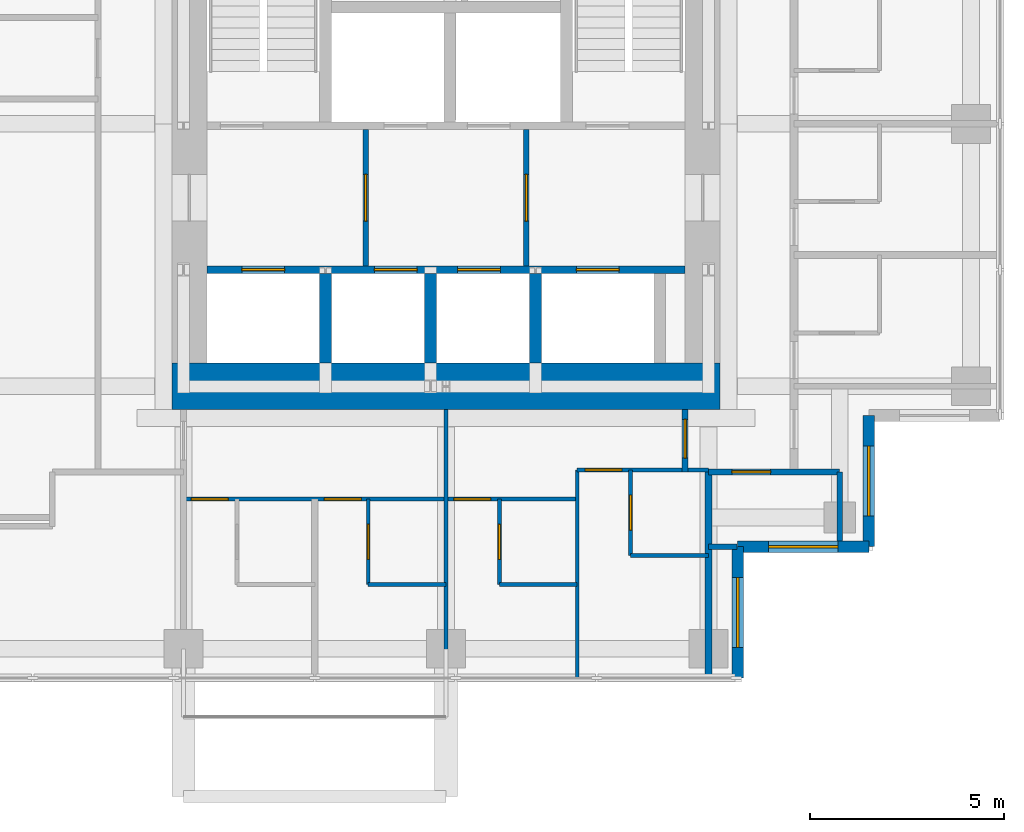
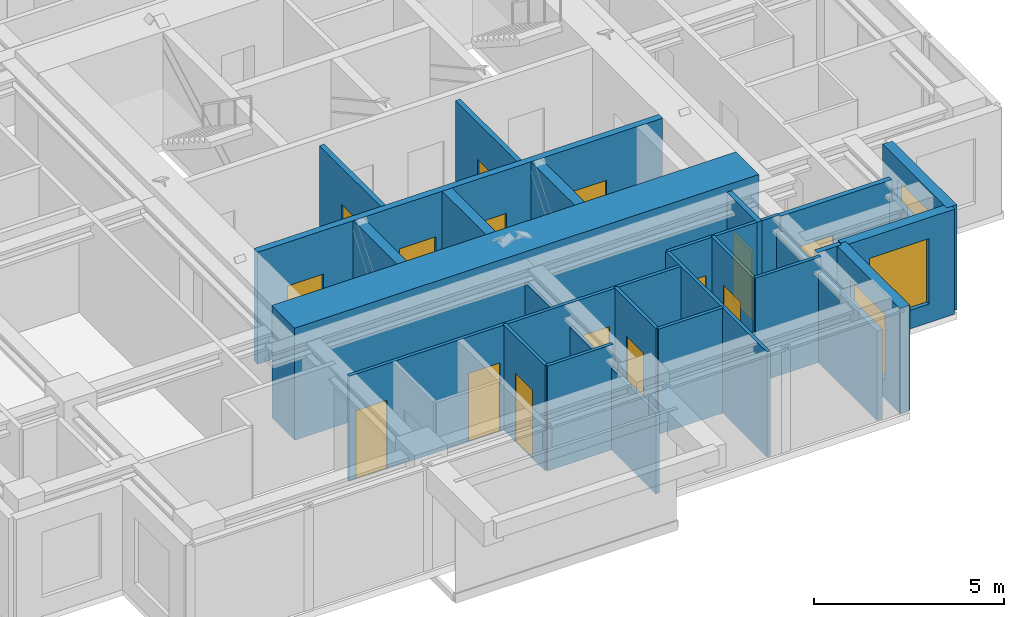
# One storey, part 4 of 8: 25 walls, 15 doors, 3 windows, 18 openings.
"""IFC4 building model written with IfcOpenShell, lengths in metres."""

import ifcopenshell
import ifcopenshell.guid

model = None  # the IFC model being written
_history = None  # IfcOwnerHistory: only IFC2X3 demands one
_inside = {}  # id of a spatial element -> (the spatial element, [elements in it])
_under = {}  # id of a project, library or spatial element -> (it, [spatial elements below it])
_declared = {}  # id of a project -> (the project, [libraries it declares])
_typed = {}  # id of a type object -> (the type object, [elements of that type])
_made_of = {}  # id of a material, layer set ... -> (it, [elements and type objects made of it])


def new_model(schema):
    """Start an empty IFC model of exactly this schema.

    Asked for "IFC4X3", IfcOpenShell would pick the latest addendum, in which some entities
    have other attributes; the version numbers below select the first issue.
    IFC2X3 requires an IfcOwnerHistory on every rooted entity: one is made here for all.
    """
    global model, _history
    if schema == "IFC4X3":
        model = ifcopenshell.file(schema_version=(4, 3, 0, 0))
    else:
        model = ifcopenshell.file(schema=schema)
    _inside.clear()
    _under.clear()
    _declared.clear()
    _typed.clear()
    _made_of.clear()
    _history = None
    if model.schema == "IFC2X3":
        org = make("IfcOrganization", Name="unknown")
        user = make(
            "IfcPersonAndOrganization",
            ThePerson=make("IfcPerson", FamilyName="unknown"),
            TheOrganization=org,
        )
        app = make(
            "IfcApplication",
            ApplicationDeveloper=org,
            Version="unknown",
            ApplicationFullName="unknown",
            ApplicationIdentifier="unknown",
        )
        _history = make(
            "IfcOwnerHistory",
            OwningUser=user,
            OwningApplication=app,
            ChangeAction="ADDED",
            CreationDate=0,
        )
    return model


def make(cls, **values):
    """One entity of the class cls with the attributes given. An attribute that is None is left unset."""
    return model.create_entity(
        cls, **{name: value for name, value in values.items() if value is not None}
    )


def rooted(cls, **values):
    """An entity with a GlobalId (a new one), such as an element, a storey or a relation."""
    return make(cls, GlobalId=ifcopenshell.guid.new(), OwnerHistory=_history, **values)


def si_unit(unit_type, name, prefix=None):
    """IfcSIUnit, for example si_unit("LENGTHUNIT", "METRE", prefix="MILLI")."""
    return make("IfcSIUnit", UnitType=unit_type, Prefix=prefix, Name=name)


def assignment(units):
    """IfcUnitAssignment: the units of a project."""
    return None if units is None else make("IfcUnitAssignment", Units=units)


def point(xyz):
    """IfcCartesianPoint."""
    return None if xyz is None else make("IfcCartesianPoint", Coordinates=xyz)


def direction(xyz):
    """IfcDirection."""
    return None if xyz is None else make("IfcDirection", DirectionRatios=xyz)


def frame(location, z_axis=None, x_axis=None):
    """IfcAxis2Placement3D, a coordinate frame: its origin and axes. An axis left out is left unset."""
    return make(
        "IfcAxis2Placement3D",
        Location=point(location),
        Axis=direction(z_axis),
        RefDirection=direction(x_axis),
    )


def frame_2d(location, x_axis=None):
    """IfcAxis2Placement2D, a coordinate frame in the plane: its origin and x axis."""
    return make(
        "IfcAxis2Placement2D", Location=point(location), RefDirection=direction(x_axis)
    )


def origin():
    """The frame at (0, 0, 0) with its axes left unset."""
    return frame((0.0, 0.0, 0.0))


def place(relative_to, where):
    """IfcLocalPlacement: puts the frame where relative to a parent placement (None: the world)."""
    return make(
        "IfcLocalPlacement", PlacementRelTo=relative_to, RelativePlacement=where
    )


def context(
    kind, dimensions, precision=None, world=None, true_north=None, identifier=None
):
    """IfcGeometricRepresentationContext, for example the 3D "Model" context."""
    return make(
        "IfcGeometricRepresentationContext",
        ContextIdentifier=identifier,
        ContextType=kind,
        CoordinateSpaceDimension=dimensions,
        Precision=precision,
        WorldCoordinateSystem=world,
        TrueNorth=true_north,
    )


def subcontext(parent, identifier, kind, view, scale=None):
    """IfcGeometricRepresentationSubContext, for example "Body" below "Model"."""
    return make(
        "IfcGeometricRepresentationSubContext",
        ContextIdentifier=identifier,
        ContextType=kind,
        ParentContext=parent,
        TargetScale=scale,
        TargetView=view,
    )


def project(units=None, contexts=None):
    """IfcProject with its units and contexts."""
    return rooted(
        "IfcProject",
        Name="project",
        RepresentationContexts=contexts,
        UnitsInContext=assignment(units),
    )


def spatial(cls, under=None, at=None, **own):
    """A site, building, storey or space (cls), placed at a placement, below another one or the project."""
    s = rooted(cls, ObjectPlacement=at, **own)
    if under is not None:
        _under.setdefault(under.id(), (under, []))[1].append(s)
    return s


def profile(cls, at=None, kind="AREA", **sizes):
    """A parametric profile (cls). Its sizes go by their IFC names, for example OverallWidth=200.0."""
    return make(cls, ProfileType=kind, Position=at, **sizes)


def rectangle(**sizes):
    """IfcRectangleProfileDef."""
    return profile("IfcRectangleProfileDef", **sizes)


def extrude(swept, where, along, depth):
    """IfcExtrudedAreaSolid: the profile swept, set in the frame where, extruded along a direction by depth."""
    return make(
        "IfcExtrudedAreaSolid",
        SweptArea=swept,
        Position=where,
        ExtrudedDirection=direction(along),
        Depth=depth,
    )


def shape(context_of_items, identifier, shape_type, items):
    """IfcShapeRepresentation: the items that make up one representation, for example the "Body"."""
    return make(
        "IfcShapeRepresentation",
        ContextOfItems=context_of_items,
        RepresentationIdentifier=identifier,
        RepresentationType=shape_type,
        Items=items,
    )


def material(Name=None, Category=None):
    """IfcMaterial."""
    return make("IfcMaterial", Name=Name, Category=Category)


def layer(
    of_material, thickness, ventilated=None, Name=None, Category=None, Priority=None
):
    """IfcMaterialLayer: one layer of a wall or slab, of a material (None: an air gap)."""
    return make(
        "IfcMaterialLayer",
        Material=of_material,
        LayerThickness=thickness,
        IsVentilated=ventilated,
        Name=Name,
        Category=Category,
        Priority=Priority,
    )


def layer_set(layers, Name=None):
    """IfcMaterialLayerSet."""
    return make("IfcMaterialLayerSet", MaterialLayers=layers, LayerSetName=Name)


def made_of(thing, what):
    """Note that an element or type object is made of a material, layer set ...; save() writes the relation."""
    if what is not None:
        _made_of.setdefault(what.id(), (what, []))[1].append(thing)
    return thing


def type_object(cls, material=None, **own):
    """A type object (cls), such as IfcWallType, which elements share."""
    return made_of(rooted(cls, **own), material)


def element(
    cls,
    number,
    at=None,
    inside=None,
    cuts=None,
    type_object=None,
    material=None,
    context=None,
    identifier="Body",
    shape_type=None,
    held_by="IfcProductDefinitionShape",
    body=None,
    shapes=None,
    **own,
):
    """One element of the class cls, such as IfcWall. Its Tag is "e" and its number.

    at: its placement. inside: the storey or other place that contains it. cuts: it is an
    opening in that element (IfcRelVoidsElement). A single representation is given by context,
    identifier, shape_type and body (its items); several are given by shapes. held_by: the class
    of the entity that holds the representations. save() writes the other relations.
    """
    e = rooted(cls, Tag="e%d" % number, ObjectPlacement=at, **own)
    if body is not None:
        shapes = [shape(context, identifier, shape_type, body)]
    if shapes is not None:
        e.Representation = make(held_by, Representations=shapes)
    if inside is not None:
        _inside.setdefault(inside.id(), (inside, []))[1].append(e)
    if cuts is not None:
        rooted(
            "IfcRelVoidsElement", RelatingBuildingElement=cuts, RelatedOpeningElement=e
        )
    if type_object is not None:
        _typed.setdefault(type_object.id(), (type_object, []))[1].append(e)
    return made_of(e, material)


def fill(opening, filler):
    """IfcRelFillsElement: the door or window that sits in an opening."""
    return rooted(
        "IfcRelFillsElement",
        RelatingOpeningElement=opening,
        RelatedBuildingElement=filler,
    )


def aggregate(whole, parts):
    """IfcRelAggregates: a whole, such as a stair, and the parts it consists of."""
    return rooted("IfcRelAggregates", RelatingObject=whole, RelatedObjects=parts)


def save(model, path):
    """Write the relations noted so far, then the file.

    IfcRelAggregates (storeys below a building ...), IfcRelContainedInSpatialStructure (elements
    in a storey), IfcRelDefinesByType, IfcRelAssociatesMaterial and IfcRelDeclares: one each for
    every whole, place, type object, material and project.
    """
    for whole, parts in _under.values():
        aggregate(whole, parts)
    for where, things in _inside.values():
        rooted(
            "IfcRelContainedInSpatialStructure",
            RelatedElements=things,
            RelatingStructure=where,
        )
    for kind, things in _typed.values():
        rooted("IfcRelDefinesByType", RelatedObjects=things, RelatingType=kind)
    for what, things in _made_of.values():
        rooted("IfcRelAssociatesMaterial", RelatedObjects=things, RelatingMaterial=what)
    for by, libraries in _declared.values():
        rooted("IfcRelDeclares", RelatingContext=by, RelatedDefinitions=libraries)
    model.write(path)


model = new_model("IFC4")

# Units and contexts
model_context = context("Model", 3, precision=1e-05, world=origin(), true_north=direction((0.0, 1.0)))
body_context = subcontext(model_context, "Body", "Model", "MODEL_VIEW")
ifc_project = project(units=[si_unit("LENGTHUNIT", "METRE"), si_unit("AREAUNIT", "SQUARE_METRE"), si_unit("VOLUMEUNIT", "CUBIC_METRE"), si_unit("PLANEANGLEUNIT", "RADIAN"), si_unit("MASSUNIT", "GRAM", prefix="KILO")], contexts=[model_context])

# Site, building, storey
site_placement = place(None, origin())
site = spatial("IfcSite", under=ifc_project, at=site_placement, CompositionType="ELEMENT")
building_placement = place(site_placement, origin())
building = spatial("IfcBuilding", under=site, at=building_placement, Name="Nyansa Garden Tower", CompositionType="ELEMENT")
storey_placement = place(building_placement, frame((0.0, 0.0, 243.89990234375)))
storey = spatial("IfcBuildingStorey", under=building, at=storey_placement, Name="L66", CompositionType="ELEMENT", Elevation=243.89990234375)

# Wall
ifc_material_1 = material(Name="Dense blockwork, plastered both sides, 55 dB", Category="masonry")
ifc_layer_1 = layer(ifc_material_1, 0.175048828125)
ifc_layer_set_1 = layer_set([ifc_layer_1], Name="Acoustic party wall PW175")
wall_type_1 = type_object("IfcWallType", Name="Acoustic party wall PW175", PredefinedType="PARTITIONING", material=ifc_layer_set_1)
wall_1_placement = place(storey_placement, frame((27.0, 6.01611328125, 0.0), z_axis=(0.0, 0.0, 1.0), x_axis=(0.0, 1.0, 0.0)))
element("IfcWall", 1, at=wall_1_placement, inside=storey, type_object=wall_type_1, Name="Party wall", PredefinedType="PARTITIONING", context=body_context, shape_type="SweptSolid", body=[
    extrude(rectangle(XDim=5.333984375, YDim=0.175048828125, at=frame_2d((2.6669921875, 0.0))), origin(), (0.0, 0.0, 1.0), 2.877197265625),
])

# Wall, openings, doors
ifc_material_2 = material(Name="Concrete C70/85", Category="concrete")
ifc_layer_2 = layer(ifc_material_2, 0.199951171875)
ifc_layer_set_2 = layer_set([ifc_layer_2], Name="Core inner wall CI200")
wall_type_2 = type_object("IfcWallType", Name="Core inner wall CI200", PredefinedType="SHEAR", material=ifc_layer_set_2)
wall_2_placement = place(storey_placement, frame((14.10009765625, 16.5, 0.0), z_axis=(0.0, 0.0, 1.0), x_axis=(1.0, 0.0, 0.0)))
wall_2 = element("IfcWall", 2, at=wall_2_placement, inside=storey, type_object=wall_type_2, Name="Core inner wall L66", PredefinedType="SHEAR", context=body_context, shape_type="SweptSolid", body=[
    extrude(rectangle(XDim=12.2998046875, YDim=0.199951171875, at=frame_2d((6.14990234375, 0.0))), origin(), (0.0, 0.0, 1.0), 3.60009765625),
])
opening_1_placement = place(wall_2_placement, frame((0.89990234375, 0.0, 0.0)))
opening_1 = element("IfcOpeningElement", 3, at=opening_1_placement, cuts=wall_2, Name="Opening LD-F", PredefinedType="OPENING", context=body_context, shape_type="SweptSolid", body=[
    extrude(rectangle(XDim=1.10009765625, YDim=2.199951171875, at=frame_2d((0.550048828125, 1.10009765625))), frame((0.0, 0.10986328125, 0.0), z_axis=(0.0, -1.0, 0.0), x_axis=(1.0, 0.0, 0.0)), (0.0, 0.0, 1.0), 0.219970703125),
])
opening_2_placement = place(wall_2_placement, frame((4.31005859375, 0.0, 0.0)))
opening_2 = element("IfcOpeningElement", 4, at=opening_2_placement, cuts=wall_2, Name="Opening LD-B", PredefinedType="OPENING", context=body_context, shape_type="SweptSolid", body=[
    extrude(rectangle(XDim=1.10009765625, YDim=2.199951171875, at=frame_2d((0.550048828125, 1.10009765625))), frame((0.0, 0.10986328125, 0.0), z_axis=(0.0, -1.0, 0.0), x_axis=(1.0, 0.0, 0.0)), (0.0, 0.0, 1.0), 0.219970703125),
])
opening_3_placement = place(wall_2_placement, frame((6.449951171875, 0.0, 0.0)))
opening_3 = element("IfcOpeningElement", 5, at=opening_3_placement, cuts=wall_2, Name="Opening LD-B", PredefinedType="OPENING", context=body_context, shape_type="SweptSolid", body=[
    extrude(rectangle(XDim=1.10009765625, YDim=2.199951171875, at=frame_2d((0.550048828125, 1.10009765625))), frame((0.0, 0.10986328125, 0.0), z_axis=(0.0, -1.0, 0.0), x_axis=(1.0, 0.0, 0.0)), (0.0, 0.0, 1.0), 0.219970703125),
])
opening_4_placement = place(wall_2_placement, frame((9.5, 0.0, 0.0)))
opening_4 = element("IfcOpeningElement", 6, at=opening_4_placement, cuts=wall_2, Name="Opening LD-F", PredefinedType="OPENING", context=body_context, shape_type="SweptSolid", body=[
    extrude(rectangle(XDim=1.10009765625, YDim=2.199951171875, at=frame_2d((0.550048828125, 1.10009765625))), frame((0.0, 0.10986328125, 0.0), z_axis=(0.0, -1.0, 0.0), x_axis=(1.0, 0.0, 0.0)), (0.0, 0.0, 1.0), 0.219970703125),
])
ifc_material_3 = material(Name="Stainless steel centre-opening landing door of the high-rise lift, E 120", Category="steel")
door_type_1 = type_object("IfcDoorType", Name="Lift landing door LD-B 1100x2200", OperationType="DOUBLE_DOOR_SLIDING", PredefinedType="DOOR", material=ifc_material_3)
door_1_placement = place(opening_2_placement, origin())
door_1 = element("IfcDoor", 7, at=door_1_placement, inside=storey, type_object=door_type_1, Name="Landing door B1", OperationType="DOUBLE_DOOR_SLIDING", OverallHeight=2.199951171875, OverallWidth=1.10009765625, PredefinedType="DOOR", context=body_context, shape_type="SweptSolid", body=[
    extrude(rectangle(XDim=1.10009765625, YDim=2.199951171875, at=frame_2d((0.550048828125, 1.10009765625))), frame((0.0, 0.02490234375, 0.0), z_axis=(0.0, -1.0, 0.0), x_axis=(1.0, 0.0, 0.0)), (0.0, 0.0, 1.0), 0.050048828125),
])
fill(opening_2, door_1)
door_2_placement = place(opening_3_placement, origin())
door_2 = element("IfcDoor", 8, at=door_2_placement, inside=storey, type_object=door_type_1, Name="Landing door B2", OperationType="DOUBLE_DOOR_SLIDING", OverallHeight=2.199951171875, OverallWidth=1.10009765625, PredefinedType="DOOR", context=body_context, shape_type="SweptSolid", body=[
    extrude(rectangle(XDim=1.10009765625, YDim=2.199951171875, at=frame_2d((0.550048828125, 1.10009765625))), frame((0.0, 0.02490234375, 0.0), z_axis=(0.0, -1.0, 0.0), x_axis=(1.0, 0.0, 0.0)), (0.0, 0.0, 1.0), 0.050048828125),
])
fill(opening_3, door_2)
ifc_material_4 = material(Name="Stainless steel centre-opening landing door of the firefighting lift, EN 81-72, E 120", Category="steel")
door_type_2 = type_object("IfcDoorType", Name="Lift landing door LD-F 1100x2200", OperationType="DOUBLE_DOOR_SLIDING", PredefinedType="DOOR", material=ifc_material_4)
door_3_placement = place(opening_1_placement, origin())
door_3 = element("IfcDoor", 9, at=door_3_placement, inside=storey, type_object=door_type_2, Name="Landing door FF1", OperationType="DOUBLE_DOOR_SLIDING", OverallHeight=2.199951171875, OverallWidth=1.10009765625, PredefinedType="DOOR", context=body_context, shape_type="SweptSolid", body=[
    extrude(rectangle(XDim=1.10009765625, YDim=2.199951171875, at=frame_2d((0.550048828125, 1.10009765625))), frame((0.0, 0.02490234375, 0.0), z_axis=(0.0, -1.0, 0.0), x_axis=(1.0, 0.0, 0.0)), (0.0, 0.0, 1.0), 0.050048828125),
])
fill(opening_1, door_3)
door_4_placement = place(opening_4_placement, origin())
door_4 = element("IfcDoor", 10, at=door_4_placement, inside=storey, type_object=door_type_2, Name="Landing door FF2", OperationType="DOUBLE_DOOR_SLIDING", OverallHeight=2.199951171875, OverallWidth=1.10009765625, PredefinedType="DOOR", context=body_context, shape_type="SweptSolid", body=[
    extrude(rectangle(XDim=1.10009765625, YDim=2.199951171875, at=frame_2d((0.550048828125, 1.10009765625))), frame((0.0, 0.02490234375, 0.0), z_axis=(0.0, -1.0, 0.0), x_axis=(1.0, 0.0, 0.0)), (0.0, 0.0, 1.0), 0.050048828125),
])
fill(opening_4, door_4)

# Walls
ifc_material_5 = material(Name="Concrete C70/85", Category="concrete")
ifc_layer_3 = layer(ifc_material_5, 0.300048828125)
ifc_layer_set_3 = layer_set([ifc_layer_3], Name="Core inner wall CI300")
wall_type_3 = type_object("IfcWallType", Name="Core inner wall CI300", PredefinedType="SHEAR", material=ifc_layer_set_3)
for number, where, z_axis, x_axis, name in (
    (11, (17.14990234375, 14.10009765625, 0.0), (0.0, 0.0, 1.0), (0.0, 1.0, 0.0), "Core inner wall L66"),
    (12, (19.85009765625, 14.10009765625, 0.0), (0.0, 0.0, 1.0), (0.0, 1.0, 0.0), "Core inner wall L66"),
    (13, (22.550048828125, 14.10009765625, 0.0), (0.0, 0.0, 1.0), (0.0, 1.0, 0.0), "Core inner wall L66"),
):
    element("IfcWall", number, at=place(storey_placement, frame(where, z_axis=z_axis, x_axis=x_axis)), inside=storey, type_object=wall_type_3, Name=name, PredefinedType="SHEAR", context=body_context, shape_type="SweptSolid", body=[
        extrude(rectangle(XDim=2.2998046875, YDim=0.300048828125, at=frame_2d((1.14990234375, 0.0))), origin(), (0.0, 0.0, 1.0), 3.60009765625),
    ])
ifc_material_6 = material(Name="Concrete C80/95", Category="concrete")
ifc_layer_4 = layer(ifc_material_6, 1.199951171875)
ifc_layer_set_4 = layer_set([ifc_layer_4], Name="Core wall CW1200")
wall_type_4 = type_object("IfcWallType", Name="Core wall CW1200", PredefinedType="SHEAR", material=ifc_layer_set_4)
wall_3_placement = place(storey_placement, frame((13.199951171875, 13.5, 0.0), z_axis=(0.0, 0.0, 1.0), x_axis=(1.0, 0.0, 0.0)))
element("IfcWall", 14, at=wall_3_placement, inside=storey, type_object=wall_type_4, Name="Core wall S L66", PredefinedType="SHEAR", context=body_context, shape_type="SweptSolid", body=[
    extrude(rectangle(XDim=14.10009765625, YDim=1.199951171875, at=frame_2d((7.050048828125, 0.0))), origin(), (0.0, 0.0, 1.0), 3.60009765625),
])

# Wall, opening, door
ifc_material_7 = material(Name="Blockwork, plastered both sides", Category="masonry")
ifc_layer_5 = layer(ifc_material_7, 0.14990234375)
ifc_layer_set_5 = layer_set([ifc_layer_5], Name="Partition PW150")
wall_type_5 = type_object("IfcWallType", Name="Partition PW150", PredefinedType="PARTITIONING", material=ifc_layer_set_5)
wall_4_placement = place(storey_placement, frame((18.18505859375, 16.60009765625, 0.0), z_axis=(0.0, 0.0, 1.0), x_axis=(0.0, 1.0, 0.0)))
wall_4 = element("IfcWall", 15, at=wall_4_placement, inside=storey, type_object=wall_type_5, Name="Partition", PredefinedType="PARTITIONING", context=body_context, shape_type="SweptSolid", body=[
    extrude(rectangle(XDim=3.5, YDim=0.14990234375, at=frame_2d((1.75, 0.0))), origin(), (0.0, 0.0, 1.0), 3.375),
])
opening_5_placement = place(wall_4_placement, frame((1.14990234375, 0.0, 0.0)))
opening_5 = element("IfcOpeningElement", 16, at=opening_5_placement, cuts=wall_4, Name="Opening D06", PredefinedType="OPENING", context=body_context, shape_type="SweptSolid", body=[
    extrude(rectangle(XDim=1.199951171875, YDim=2.199951171875, at=frame_2d((0.60009765625, 1.10009765625))), frame((0.0, 0.0849609375, 0.0), z_axis=(0.0, -1.0, 0.0), x_axis=(1.0, 0.0, 0.0)), (0.0, 0.0, 1.0), 0.169921875),
])
ifc_material_8 = material(Name="Steel door, 120 minute fire resisting", Category="steel")
door_type_3 = type_object("IfcDoorType", Name="Lobby door D06 1200x2200", OperationType="DOUBLE_DOOR_SINGLE_SWING", PredefinedType="DOOR", material=ifc_material_8)
door_5_placement = place(opening_5_placement, origin())
door_5 = element("IfcDoor", 17, at=door_5_placement, inside=storey, type_object=door_type_3, Name="Passenger lift lobby door", OperationType="DOUBLE_DOOR_SINGLE_SWING", OverallHeight=2.199951171875, OverallWidth=1.199951171875, PredefinedType="DOOR", context=body_context, shape_type="SweptSolid", body=[
    extrude(rectangle(XDim=1.199951171875, YDim=2.199951171875, at=frame_2d((0.60009765625, 1.10009765625))), frame((0.0, 0.02490234375, 0.0), z_axis=(0.0, -1.0, 0.0), x_axis=(1.0, 0.0, 0.0)), (0.0, 0.0, 1.0), 0.050048828125),
])
fill(opening_5, door_5)

wall_5_placement = place(storey_placement, frame((22.31494140625, 16.60009765625, 0.0), z_axis=(0.0, 0.0, 1.0), x_axis=(0.0, 1.0, 0.0)))
wall_5 = element("IfcWall", 18, at=wall_5_placement, inside=storey, type_object=wall_type_5, Name="Partition", PredefinedType="PARTITIONING", context=body_context, shape_type="SweptSolid", body=[
    extrude(rectangle(XDim=3.5, YDim=0.14990234375, at=frame_2d((1.75, 0.0))), origin(), (0.0, 0.0, 1.0), 3.375),
])
opening_6_placement = place(wall_5_placement, frame((1.14990234375, 0.0, 0.0)))
opening_6 = element("IfcOpeningElement", 19, at=opening_6_placement, cuts=wall_5, Name="Opening D06", PredefinedType="OPENING", context=body_context, shape_type="SweptSolid", body=[
    extrude(rectangle(XDim=1.199951171875, YDim=2.199951171875, at=frame_2d((0.60009765625, 1.10009765625))), frame((0.0, 0.0849609375, 0.0), z_axis=(0.0, -1.0, 0.0), x_axis=(1.0, 0.0, 0.0)), (0.0, 0.0, 1.0), 0.169921875),
])
door_6_placement = place(opening_6_placement, origin())
door_6 = element("IfcDoor", 20, at=door_6_placement, inside=storey, type_object=door_type_3, Name="Passenger lift lobby door", OperationType="DOUBLE_DOOR_SINGLE_SWING", OverallHeight=2.199951171875, OverallWidth=1.199951171875, PredefinedType="DOOR", context=body_context, shape_type="SweptSolid", body=[
    extrude(rectangle(XDim=1.199951171875, YDim=2.199951171875, at=frame_2d((0.60009765625, 1.10009765625))), frame((0.0, 0.02490234375, 0.0), z_axis=(0.0, -1.0, 0.0), x_axis=(1.0, 0.0, 0.0)), (0.0, 0.0, 1.0), 0.050048828125),
])
fill(opening_6, door_6)

wall_6_placement = place(storey_placement, frame((26.39990234375, 11.300048828125, 0.0), z_axis=(0.0, 0.0, 1.0), x_axis=(0.0, 1.0, 0.0)))
wall_6 = element("IfcWall", 21, at=wall_6_placement, inside=storey, type_object=wall_type_5, Name="Partition", PredefinedType="PARTITIONING", context=body_context, shape_type="SweptSolid", body=[
    extrude(rectangle(XDim=1.599853515625, YDim=0.14990234375, at=frame_2d((0.7998046875, 0.0))), origin(), (0.0, 0.0, 1.0), 3.375),
])
opening_7_placement = place(wall_6_placement, frame((0.35009765625, 0.0, 0.0)))
opening_7 = element("IfcOpeningElement", 22, at=opening_7_placement, cuts=wall_6, Name="Opening D03", PredefinedType="OPENING", context=body_context, shape_type="SweptSolid", body=[
    extrude(rectangle(XDim=1.0, YDim=2.199951171875, at=frame_2d((0.5, 1.10009765625))), frame((0.0, 0.0849609375, 0.0), z_axis=(0.0, -1.0, 0.0), x_axis=(1.0, 0.0, 0.0)), (0.0, 0.0, 1.0), 0.169921875),
])
ifc_material_9 = material(Name="Timber flush door, 60 minute fire resisting", Category="wood")
door_type_4 = type_object("IfcDoorType", Name="Cluster entrance door D03 1000x2200", OperationType="SINGLE_SWING_LEFT", PredefinedType="DOOR", material=ifc_material_9)
door_7_placement = place(opening_7_placement, origin())
door_7 = element("IfcDoor", 23, at=door_7_placement, inside=storey, type_object=door_type_4, Name="Door L66-028", OperationType="SINGLE_SWING_LEFT", OverallHeight=2.199951171875, OverallWidth=1.0, PredefinedType="DOOR", context=body_context, shape_type="SweptSolid", body=[
    extrude(rectangle(XDim=1.0, YDim=2.199951171875, at=frame_2d((0.5, 1.10009765625))), frame((0.0, 0.02490234375, 0.0), z_axis=(0.0, -1.0, 0.0), x_axis=(1.0, 0.0, 0.0)), (0.0, 0.0, 1.0), 0.050048828125),
])
fill(opening_7, door_7)

wall_7_placement = place(storey_placement, frame((27.0, 11.300048828125, 0.0), z_axis=(0.0, 0.0, 1.0), x_axis=(1.0, 0.0, 0.0)))
wall_7 = element("IfcWall", 24, at=wall_7_placement, inside=storey, type_object=wall_type_5, Name="Partition", PredefinedType="PARTITIONING", context=body_context, shape_type="SweptSolid", body=[
    extrude(rectangle(XDim=3.375, YDim=0.14990234375, at=frame_2d((1.6875, 0.0))), origin(), (0.0, 0.0, 1.0), 3.375),
])
opening_8_placement = place(wall_7_placement, frame((0.60009765625, 0.0, 0.0)))
opening_8 = element("IfcOpeningElement", 25, at=opening_8_placement, cuts=wall_7, Name="Opening D03", PredefinedType="OPENING", context=body_context, shape_type="SweptSolid", body=[
    extrude(rectangle(XDim=1.0, YDim=2.199951171875, at=frame_2d((0.5, 1.10009765625))), frame((0.0, 0.0849609375, 0.0), z_axis=(0.0, -1.0, 0.0), x_axis=(1.0, 0.0, 0.0)), (0.0, 0.0, 1.0), 0.169921875),
])
door_8_placement = place(opening_8_placement, origin())
door_8 = element("IfcDoor", 26, at=door_8_placement, inside=storey, type_object=door_type_4, Name="Door L66-027", OperationType="SINGLE_SWING_LEFT", OverallHeight=2.199951171875, OverallWidth=1.0, PredefinedType="DOOR", context=body_context, shape_type="SweptSolid", body=[
    extrude(rectangle(XDim=1.0, YDim=2.199951171875, at=frame_2d((0.5, 1.10009765625))), frame((0.0, 0.02490234375, 0.0), z_axis=(0.0, -1.0, 0.0), x_axis=(1.0, 0.0, 0.0)), (0.0, 0.0, 1.0), 0.050048828125),
])
fill(opening_8, door_8)

# Walls
wall_8_placement = place(storey_placement, frame((27.0, 9.375, 0.0), z_axis=(0.0, 0.0, 1.0), x_axis=(1.0, 0.0, 0.0)))
element("IfcWall", 27, at=wall_8_placement, inside=storey, type_object=wall_type_5, Name="Partition", PredefinedType="PARTITIONING", context=body_context, shape_type="SweptSolid", body=[
    extrude(rectangle(XDim=0.73388671875, YDim=0.14990234375, at=frame_2d((0.366943359375, 0.0))), origin(), (0.0, 0.0, 1.0), 3.375),
])
wall_9_placement = place(storey_placement, frame((30.375, 9.52490234375, 0.0), z_axis=(0.0, 0.0, 1.0), x_axis=(0.0, 1.0, 0.0)))
element("IfcWall", 28, at=wall_9_placement, inside=storey, type_object=wall_type_5, Name="Partition", PredefinedType="PARTITIONING", context=body_context, shape_type="SweptSolid", body=[
    extrude(rectangle(XDim=1.775146484375, YDim=0.14990234375, at=frame_2d((0.8876953125, 0.0))), origin(), (0.0, 0.0, 1.0), 2.877197265625),
])

# Wall, opening, window
ifc_material_10 = material(Name="Turquoise glazed tile on concrete blockwork", Category="masonry")
ifc_layer_6 = layer(ifc_material_10, 0.300048828125)
ifc_layer_set_6 = layer_set([ifc_layer_6], Name="Tiled corner wall TW300")
wall_type_6 = type_object("IfcWallType", Name="Tiled corner wall TW300", PredefinedType="SOLIDWALL", material=ifc_layer_set_6)
wall_10_placement = place(storey_placement, frame((27.75, 6.0, 0.0), z_axis=(0.0, 0.0, 1.0), x_axis=(0.0, 1.0, 0.0)))
wall_10 = element("IfcWall", 29, at=wall_10_placement, inside=storey, type_object=wall_type_6, Name="Tiled corner wall L66", PredefinedType="SOLIDWALL", context=body_context, shape_type="SweptSolid", body=[
    extrude(rectangle(XDim=3.375, YDim=0.300048828125, at=frame_2d((1.6875, 0.0))), origin(), (0.0, 0.0, 1.0), 3.375),
])
opening_9_placement = place(wall_10_placement, frame((0.78759765625, 0.0, 0.60009765625)))
opening_9 = element("IfcOpeningElement", 30, at=opening_9_placement, cuts=wall_10, Name="Opening W2", PredefinedType="OPENING", context=body_context, shape_type="SweptSolid", body=[
    extrude(rectangle(XDim=1.800048828125, YDim=2.10009765625, at=frame_2d((0.89990234375, 1.050048828125))), frame((0.0, 0.159912109375, 0.0), z_axis=(0.0, -1.0, 0.0), x_axis=(1.0, 0.0, 0.0)), (0.0, 0.0, 1.0), 0.320068359375),
])
ifc_material_11 = material(Name="Black aluminium frame, dark tinted double glazing", Category="aluminium")
window_type = type_object("IfcWindowType", Name="Window W2 1800x2100", PartitioningType="SINGLE_PANEL", PredefinedType="WINDOW", material=ifc_material_11)
window_1_placement = place(opening_9_placement, origin())
window_1 = element("IfcWindow", 31, at=window_1_placement, inside=storey, type_object=window_type, Name="Corner window L66", OverallHeight=2.10009765625, OverallWidth=1.800048828125, PartitioningType="SINGLE_PANEL", PredefinedType="WINDOW", context=body_context, shape_type="SweptSolid", body=[
    extrude(rectangle(XDim=1.800048828125, YDim=2.10009765625, at=frame_2d((0.89990234375, 1.050048828125))), frame((0.0, 0.030029296875, 0.0), z_axis=(0.0, -1.0, 0.0), x_axis=(1.0, 0.0, 0.0)), (0.0, 0.0, 1.0), 0.06005859375),
])
fill(opening_9, window_1)

wall_11_placement = place(storey_placement, frame((27.75, 9.375, 0.0), z_axis=(0.0, 0.0, 1.0), x_axis=(1.0, 0.0, 0.0)))
wall_11 = element("IfcWall", 32, at=wall_11_placement, inside=storey, type_object=wall_type_6, Name="Tiled corner wall L66", PredefinedType="SOLIDWALL", context=body_context, shape_type="SweptSolid", body=[
    extrude(rectangle(XDim=3.375, YDim=0.300048828125, at=frame_2d((1.6875, 0.0))), origin(), (0.0, 0.0, 1.0), 3.375),
])
opening_10_placement = place(wall_11_placement, frame((0.78759765625, 0.0, 0.60009765625)))
opening_10 = element("IfcOpeningElement", 33, at=opening_10_placement, cuts=wall_11, Name="Opening W2", PredefinedType="OPENING", context=body_context, shape_type="SweptSolid", body=[
    extrude(rectangle(XDim=1.800048828125, YDim=2.10009765625, at=frame_2d((0.89990234375, 1.050048828125))), frame((0.0, 0.159912109375, 0.0), z_axis=(0.0, -1.0, 0.0), x_axis=(1.0, 0.0, 0.0)), (0.0, 0.0, 1.0), 0.320068359375),
])
window_2_placement = place(opening_10_placement, origin())
window_2 = element("IfcWindow", 34, at=window_2_placement, inside=storey, type_object=window_type, Name="Corner window L66", OverallHeight=2.10009765625, OverallWidth=1.800048828125, PartitioningType="SINGLE_PANEL", PredefinedType="WINDOW", context=body_context, shape_type="SweptSolid", body=[
    extrude(rectangle(XDim=1.800048828125, YDim=2.10009765625, at=frame_2d((0.89990234375, 1.050048828125))), frame((0.0, 0.030029296875, 0.0), z_axis=(0.0, -1.0, 0.0), x_axis=(1.0, 0.0, 0.0)), (0.0, 0.0, 1.0), 0.06005859375),
])
fill(opening_10, window_2)

wall_12_placement = place(storey_placement, frame((31.125, 9.375, 0.0), z_axis=(0.0, 0.0, 1.0), x_axis=(0.0, 1.0, 0.0)))
wall_12 = element("IfcWall", 35, at=wall_12_placement, inside=storey, type_object=wall_type_6, Name="Tiled corner wall L66", PredefinedType="SOLIDWALL", context=body_context, shape_type="SweptSolid", body=[
    extrude(rectangle(XDim=3.375, YDim=0.300048828125, at=frame_2d((1.6875, 0.0))), origin(), (0.0, 0.0, 1.0), 3.375),
])
opening_11_placement = place(wall_12_placement, frame((0.78759765625, 0.0, 0.60009765625)))
opening_11 = element("IfcOpeningElement", 36, at=opening_11_placement, cuts=wall_12, Name="Opening W2", PredefinedType="OPENING", context=body_context, shape_type="SweptSolid", body=[
    extrude(rectangle(XDim=1.800048828125, YDim=2.10009765625, at=frame_2d((0.89990234375, 1.050048828125))), frame((0.0, 0.159912109375, 0.0), z_axis=(0.0, -1.0, 0.0), x_axis=(1.0, 0.0, 0.0)), (0.0, 0.0, 1.0), 0.320068359375),
])
window_3_placement = place(opening_11_placement, origin())
window_3 = element("IfcWindow", 37, at=window_3_placement, inside=storey, type_object=window_type, Name="Corner window L66", OverallHeight=2.10009765625, OverallWidth=1.800048828125, PartitioningType="SINGLE_PANEL", PredefinedType="WINDOW", context=body_context, shape_type="SweptSolid", body=[
    extrude(rectangle(XDim=1.800048828125, YDim=2.10009765625, at=frame_2d((0.89990234375, 1.050048828125))), frame((0.0, 0.030029296875, 0.0), z_axis=(0.0, -1.0, 0.0), x_axis=(1.0, 0.0, 0.0)), (0.0, 0.0, 1.0), 0.06005859375),
])
fill(opening_11, window_3)

# Wall, openings, doors
ifc_material_12 = material(Name="Moisture resistant board on steel studs, tiled", Category="steel")
ifc_layer_7 = layer(ifc_material_12, 0.10009765625)
ifc_layer_set_7 = layer_set([ifc_layer_7], Name="Wet wall PW100")
wall_type_7 = type_object("IfcWallType", Name="Wet wall PW100", PredefinedType="PARTITIONING", material=ifc_layer_set_7)
wall_13_placement = place(storey_placement, frame((13.5, 10.60009765625, 0.0), z_axis=(0.0, 0.0, 1.0), x_axis=(1.0, 0.0, 0.0)))
wall_13 = element("IfcWall", 38, at=wall_13_placement, inside=storey, type_object=wall_type_7, Name="Wet wall", PredefinedType="PARTITIONING", context=body_context, shape_type="SweptSolid", body=[
    extrude(rectangle(XDim=10.125, YDim=0.10009765625, at=frame_2d((5.0625, 0.0))), origin(), (0.0, 0.0, 1.0), 3.375),
])
opening_12_placement = place(wall_13_placement, frame((0.199951171875, 0.0, 0.0)))
opening_12 = element("IfcOpeningElement", 39, at=opening_12_placement, cuts=wall_13, Name="Opening D01", PredefinedType="OPENING", context=body_context, shape_type="SweptSolid", body=[
    extrude(rectangle(XDim=0.949951171875, YDim=2.199951171875, at=frame_2d((0.47509765625, 1.10009765625))), frame((0.0, 0.06005859375, 0.0), z_axis=(0.0, -1.0, 0.0), x_axis=(1.0, 0.0, 0.0)), (0.0, 0.0, 1.0), 0.1201171875),
])
opening_13_placement = place(wall_13_placement, frame((3.625, 0.0, 0.0)))
opening_13 = element("IfcOpeningElement", 40, at=opening_13_placement, cuts=wall_13, Name="Opening D01", PredefinedType="OPENING", context=body_context, shape_type="SweptSolid", body=[
    extrude(rectangle(XDim=0.949951171875, YDim=2.199951171875, at=frame_2d((0.47509765625, 1.10009765625))), frame((0.0, 0.06005859375, 0.0), z_axis=(0.0, -1.0, 0.0), x_axis=(1.0, 0.0, 0.0)), (0.0, 0.0, 1.0), 0.1201171875),
])
opening_14_placement = place(wall_13_placement, frame((6.949951171875, 0.0, 0.0)))
opening_14 = element("IfcOpeningElement", 41, at=opening_14_placement, cuts=wall_13, Name="Opening D14", PredefinedType="OPENING", context=body_context, shape_type="SweptSolid", body=[
    extrude(rectangle(XDim=0.949951171875, YDim=2.199951171875, at=frame_2d((0.47509765625, 1.10009765625))), frame((0.0, 0.06005859375, 0.0), z_axis=(0.0, -1.0, 0.0), x_axis=(1.0, 0.0, 0.0)), (0.0, 0.0, 1.0), 0.1201171875),
])
ifc_material_13 = material(Name="Timber flush door, 30 minute fire resisting", Category="wood")
door_type_5 = type_object("IfcDoorType", Name="Bedroom door D01 950x2200", OperationType="SINGLE_SWING_LEFT", PredefinedType="DOOR", material=ifc_material_13)
door_9_placement = place(opening_12_placement, origin())
door_9 = element("IfcDoor", 42, at=door_9_placement, inside=storey, type_object=door_type_5, Name="Door L66-018", OperationType="SINGLE_SWING_LEFT", OverallHeight=2.199951171875, OverallWidth=0.949951171875, PredefinedType="DOOR", context=body_context, shape_type="SweptSolid", body=[
    extrude(rectangle(XDim=0.949951171875, YDim=2.199951171875, at=frame_2d((0.47509765625, 1.10009765625))), frame((0.0, 0.02490234375, 0.0), z_axis=(0.0, -1.0, 0.0), x_axis=(1.0, 0.0, 0.0)), (0.0, 0.0, 1.0), 0.050048828125),
])
fill(opening_12, door_9)
door_10_placement = place(opening_13_placement, origin())
door_10 = element("IfcDoor", 43, at=door_10_placement, inside=storey, type_object=door_type_5, Name="Door L66-020", OperationType="SINGLE_SWING_LEFT", OverallHeight=2.199951171875, OverallWidth=0.949951171875, PredefinedType="DOOR", context=body_context, shape_type="SweptSolid", body=[
    extrude(rectangle(XDim=0.949951171875, YDim=2.199951171875, at=frame_2d((0.47509765625, 1.10009765625))), frame((0.0, 0.02490234375, 0.0), z_axis=(0.0, -1.0, 0.0), x_axis=(1.0, 0.0, 0.0)), (0.0, 0.0, 1.0), 0.050048828125),
])
fill(opening_13, door_10)
ifc_material_14 = material(Name="Timber flush door, 60 minute fire resisting, self-closing", Category="wood")
door_type_6 = type_object("IfcDoorType", Name="Studio entrance door D14 950x2200", OperationType="SINGLE_SWING_LEFT", PredefinedType="DOOR", material=ifc_material_14)
door_11_placement = place(opening_14_placement, origin())
door_11 = element("IfcDoor", 44, at=door_11_placement, inside=storey, type_object=door_type_6, Name="Door L66-023", OperationType="SINGLE_SWING_LEFT", OverallHeight=2.199951171875, OverallWidth=0.949951171875, PredefinedType="DOOR", context=body_context, shape_type="SweptSolid", body=[
    extrude(rectangle(XDim=0.949951171875, YDim=2.199951171875, at=frame_2d((0.47509765625, 1.10009765625))), frame((0.0, 0.02490234375, 0.0), z_axis=(0.0, -1.0, 0.0), x_axis=(1.0, 0.0, 0.0)), (0.0, 0.0, 1.0), 0.050048828125),
])
fill(opening_14, door_11)

# Wall, opening, door
wall_14_placement = place(storey_placement, frame((18.25, 8.39990234375, 0.0), z_axis=(0.0, 0.0, 1.0), x_axis=(0.0, 1.0, 0.0)))
wall_14 = element("IfcWall", 45, at=wall_14_placement, inside=storey, type_object=wall_type_7, Name="Wet wall", PredefinedType="PARTITIONING", context=body_context, shape_type="SweptSolid", body=[
    extrude(rectangle(XDim=2.2001953125, YDim=0.10009765625, at=frame_2d((1.10009765625, 0.0))), origin(), (0.0, 0.0, 1.0), 3.375),
])
opening_15_placement = place(wall_14_placement, frame((0.64990234375, 0.0, 0.0)))
opening_15 = element("IfcOpeningElement", 46, at=opening_15_placement, cuts=wall_14, Name="Opening D02", PredefinedType="OPENING", context=body_context, shape_type="SweptSolid", body=[
    extrude(rectangle(XDim=0.89990234375, YDim=2.199951171875, at=frame_2d((0.449951171875, 1.10009765625))), frame((0.0, 0.06005859375, 0.0), z_axis=(0.0, -1.0, 0.0), x_axis=(1.0, 0.0, 0.0)), (0.0, 0.0, 1.0), 0.1201171875),
])
ifc_material_15 = material(Name="Timber flush door", Category="wood")
door_type_7 = type_object("IfcDoorType", Name="En-suite door D02 900x2200", OperationType="SINGLE_SWING_RIGHT", PredefinedType="DOOR", material=ifc_material_15)
door_12_placement = place(opening_15_placement, origin())
door_12 = element("IfcDoor", 47, at=door_12_placement, inside=storey, type_object=door_type_7, Name="Door L66-021", OperationType="SINGLE_SWING_RIGHT", OverallHeight=2.199951171875, OverallWidth=0.89990234375, PredefinedType="DOOR", context=body_context, shape_type="SweptSolid", body=[
    extrude(rectangle(XDim=0.89990234375, YDim=2.199951171875, at=frame_2d((0.449951171875, 1.10009765625))), frame((0.0, 0.02490234375, 0.0), z_axis=(0.0, -1.0, 0.0), x_axis=(1.0, 0.0, 0.0)), (0.0, 0.0, 1.0), 0.050048828125),
])
fill(opening_15, door_12)

# Walls
wall_15_placement = place(storey_placement, frame((18.25, 8.39990234375, 0.0), z_axis=(0.0, 0.0, 1.0), x_axis=(1.0, 0.0, 0.0)))
element("IfcWall", 48, at=wall_15_placement, inside=storey, type_object=wall_type_7, Name="Wet wall", PredefinedType="PARTITIONING", context=body_context, shape_type="SweptSolid", body=[
    extrude(rectangle(XDim=2.0, YDim=0.10009765625, at=frame_2d((1.0, 0.0))), origin(), (0.0, 0.0, 1.0), 3.375),
])
wall_16_placement = place(storey_placement, frame((20.25, 6.01611328125, 0.0), z_axis=(0.0, 0.0, 1.0), x_axis=(0.0, 1.0, 0.0)))
element("IfcWall", 49, at=wall_16_placement, inside=storey, type_object=wall_type_7, Name="Wet wall", PredefinedType="PARTITIONING", context=body_context, shape_type="SweptSolid", body=[
    extrude(rectangle(XDim=6.8837890625, YDim=0.10009765625, at=frame_2d((3.44189453125, 0.0))), origin(), (0.0, 0.0, 1.0), 2.610107421875),
])

# Wall, opening, door
wall_17_placement = place(storey_placement, frame((21.625, 8.39990234375, 0.0), z_axis=(0.0, 0.0, 1.0), x_axis=(0.0, 1.0, 0.0)))
wall_17 = element("IfcWall", 50, at=wall_17_placement, inside=storey, type_object=wall_type_7, Name="Wet wall", PredefinedType="PARTITIONING", context=body_context, shape_type="SweptSolid", body=[
    extrude(rectangle(XDim=2.2001953125, YDim=0.10009765625, at=frame_2d((1.10009765625, 0.0))), origin(), (0.0, 0.0, 1.0), 3.375),
])
opening_16_placement = place(wall_17_placement, frame((0.64990234375, 0.0, 0.0)))
opening_16 = element("IfcOpeningElement", 51, at=opening_16_placement, cuts=wall_17, Name="Opening D02", PredefinedType="OPENING", context=body_context, shape_type="SweptSolid", body=[
    extrude(rectangle(XDim=0.89990234375, YDim=2.199951171875, at=frame_2d((0.449951171875, 1.10009765625))), frame((0.0, 0.06005859375, 0.0), z_axis=(0.0, -1.0, 0.0), x_axis=(1.0, 0.0, 0.0)), (0.0, 0.0, 1.0), 0.1201171875),
])
door_13_placement = place(opening_16_placement, origin())
door_13 = element("IfcDoor", 52, at=door_13_placement, inside=storey, type_object=door_type_7, Name="Door L66-024", OperationType="SINGLE_SWING_RIGHT", OverallHeight=2.199951171875, OverallWidth=0.89990234375, PredefinedType="DOOR", context=body_context, shape_type="SweptSolid", body=[
    extrude(rectangle(XDim=0.89990234375, YDim=2.199951171875, at=frame_2d((0.449951171875, 1.10009765625))), frame((0.0, 0.02490234375, 0.0), z_axis=(0.0, -1.0, 0.0), x_axis=(1.0, 0.0, 0.0)), (0.0, 0.0, 1.0), 0.050048828125),
])
fill(opening_16, door_13)

# Walls
wall_18_placement = place(storey_placement, frame((21.625, 8.39990234375, 0.0), z_axis=(0.0, 0.0, 1.0), x_axis=(1.0, 0.0, 0.0)))
element("IfcWall", 53, at=wall_18_placement, inside=storey, type_object=wall_type_7, Name="Wet wall", PredefinedType="PARTITIONING", context=body_context, shape_type="SweptSolid", body=[
    extrude(rectangle(XDim=2.0, YDim=0.10009765625, at=frame_2d((1.0, 0.0))), origin(), (0.0, 0.0, 1.0), 3.375),
])
wall_19_placement = place(storey_placement, frame((23.625, 6.01611328125, 0.0), z_axis=(0.0, 0.0, 1.0), x_axis=(0.0, 1.0, 0.0)))
element("IfcWall", 54, at=wall_19_placement, inside=storey, type_object=wall_type_7, Name="Wet wall", PredefinedType="PARTITIONING", context=body_context, shape_type="SweptSolid", body=[
    extrude(rectangle(XDim=5.333984375, YDim=0.10009765625, at=frame_2d((2.6669921875, 0.0))), origin(), (0.0, 0.0, 1.0), 3.375),
])

# Wall, opening, door
wall_20_placement = place(storey_placement, frame((23.625, 11.35009765625, 0.0), z_axis=(0.0, 0.0, 1.0), x_axis=(1.0, 0.0, 0.0)))
wall_20 = element("IfcWall", 55, at=wall_20_placement, inside=storey, type_object=wall_type_7, Name="Wet wall", PredefinedType="PARTITIONING", context=body_context, shape_type="SweptSolid", body=[
    extrude(rectangle(XDim=3.375, YDim=0.10009765625, at=frame_2d((1.6875, 0.0))), origin(), (0.0, 0.0, 1.0), 3.375),
])
opening_17_placement = place(wall_20_placement, frame((0.199951171875, 0.0, 0.0)))
opening_17 = element("IfcOpeningElement", 56, at=opening_17_placement, cuts=wall_20, Name="Opening D14", PredefinedType="OPENING", context=body_context, shape_type="SweptSolid", body=[
    extrude(rectangle(XDim=0.949951171875, YDim=2.199951171875, at=frame_2d((0.47509765625, 1.10009765625))), frame((0.0, 0.06005859375, 0.0), z_axis=(0.0, -1.0, 0.0), x_axis=(1.0, 0.0, 0.0)), (0.0, 0.0, 1.0), 0.1201171875),
])
door_14_placement = place(opening_17_placement, origin())
door_14 = element("IfcDoor", 57, at=door_14_placement, inside=storey, type_object=door_type_6, Name="Door L66-025", OperationType="SINGLE_SWING_LEFT", OverallHeight=2.199951171875, OverallWidth=0.949951171875, PredefinedType="DOOR", context=body_context, shape_type="SweptSolid", body=[
    extrude(rectangle(XDim=0.949951171875, YDim=2.199951171875, at=frame_2d((0.47509765625, 1.10009765625))), frame((0.0, 0.02490234375, 0.0), z_axis=(0.0, -1.0, 0.0), x_axis=(1.0, 0.0, 0.0)), (0.0, 0.0, 1.0), 0.050048828125),
])
fill(opening_17, door_14)

wall_21_placement = place(storey_placement, frame((25.0, 9.14990234375, 0.0), z_axis=(0.0, 0.0, 1.0), x_axis=(0.0, 1.0, 0.0)))
wall_21 = element("IfcWall", 58, at=wall_21_placement, inside=storey, type_object=wall_type_7, Name="Wet wall", PredefinedType="PARTITIONING", context=body_context, shape_type="SweptSolid", body=[
    extrude(rectangle(XDim=2.2001953125, YDim=0.10009765625, at=frame_2d((1.10009765625, 0.0))), origin(), (0.0, 0.0, 1.0), 3.375),
])
opening_18_placement = place(wall_21_placement, frame((0.64990234375, 0.0, 0.0)))
opening_18 = element("IfcOpeningElement", 59, at=opening_18_placement, cuts=wall_21, Name="Opening D02", PredefinedType="OPENING", context=body_context, shape_type="SweptSolid", body=[
    extrude(rectangle(XDim=0.89990234375, YDim=2.199951171875, at=frame_2d((0.449951171875, 1.10009765625))), frame((0.0, 0.06005859375, 0.0), z_axis=(0.0, -1.0, 0.0), x_axis=(1.0, 0.0, 0.0)), (0.0, 0.0, 1.0), 0.1201171875),
])
door_15_placement = place(opening_18_placement, origin())
door_15 = element("IfcDoor", 60, at=door_15_placement, inside=storey, type_object=door_type_7, Name="Door L66-026", OperationType="SINGLE_SWING_RIGHT", OverallHeight=2.199951171875, OverallWidth=0.89990234375, PredefinedType="DOOR", context=body_context, shape_type="SweptSolid", body=[
    extrude(rectangle(XDim=0.89990234375, YDim=2.199951171875, at=frame_2d((0.449951171875, 1.10009765625))), frame((0.0, 0.02490234375, 0.0), z_axis=(0.0, -1.0, 0.0), x_axis=(1.0, 0.0, 0.0)), (0.0, 0.0, 1.0), 0.050048828125),
])
fill(opening_18, door_15)

# Wall
wall_22_placement = place(storey_placement, frame((25.0, 9.14990234375, 0.0), z_axis=(0.0, 0.0, 1.0), x_axis=(1.0, 0.0, 0.0)))
element("IfcWall", 61, at=wall_22_placement, inside=storey, type_object=wall_type_7, Name="Wet wall", PredefinedType="PARTITIONING", context=body_context, shape_type="SweptSolid", body=[
    extrude(rectangle(XDim=2.0, YDim=0.10009765625, at=frame_2d((1.0, 0.0))), origin(), (0.0, 0.0, 1.0), 3.375),
])

save(model, "model.ifc")
